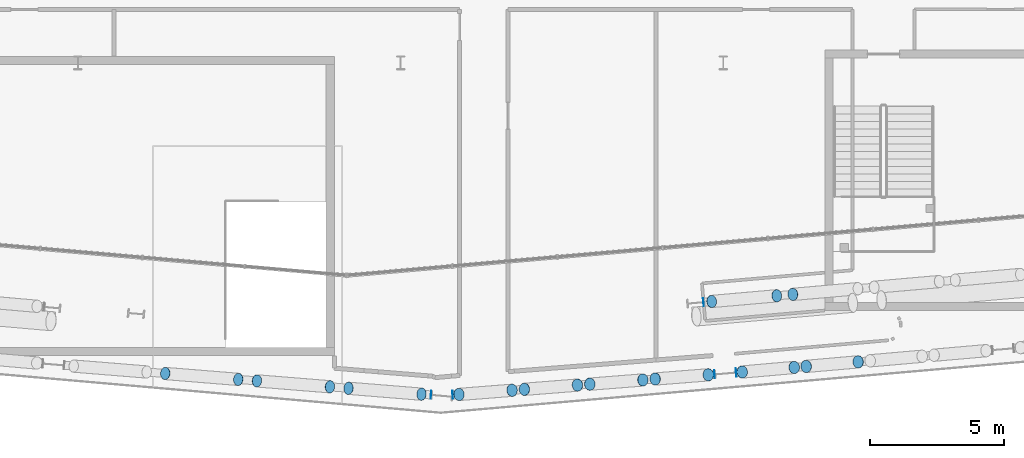
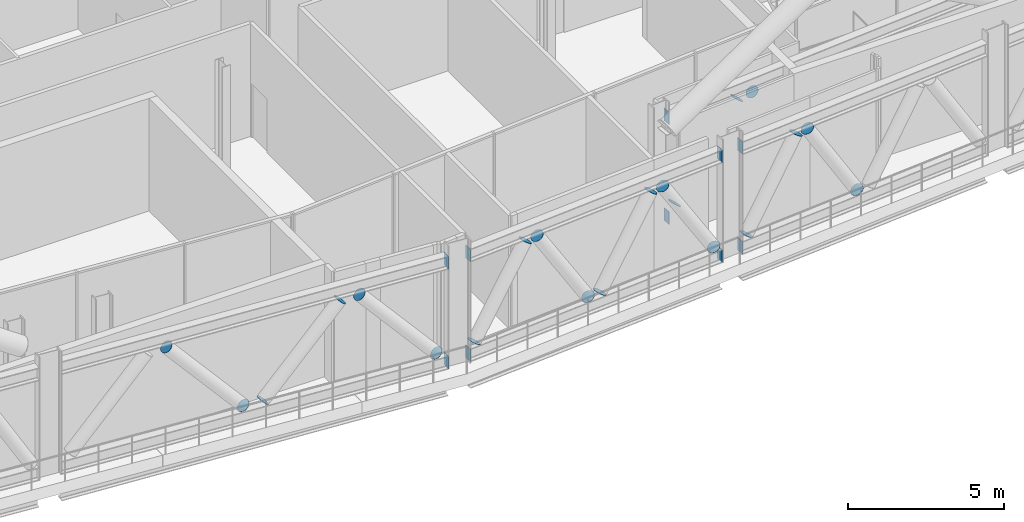
# One storey, part 29 of 42: 31 discrete accessories.
"""IFC4 building model written with IfcOpenShell, lengths in metres."""

from ifc_helpers import new_model, si_unit, direction, frame, origin, origin_2d, place, context, subcontext, project, spatial, rectangle, circle, extrude, material, material_profile, profile_set, type_object, element, save


model = new_model("IFC4")

# Units and contexts
model_context = context("Model", 3, precision=1e-05, world=origin(), true_north=direction((0.0, 1.0)))
body_context = subcontext(model_context, "Body", "Model", "MODEL_VIEW")
ifc_project = project(units=[si_unit("LENGTHUNIT", "METRE"), si_unit("AREAUNIT", "SQUARE_METRE"), si_unit("VOLUMEUNIT", "CUBIC_METRE"), si_unit("PLANEANGLEUNIT", "RADIAN"), si_unit("MASSUNIT", "GRAM", prefix="KILO")], contexts=[model_context])

# Site, building, storey
site_placement = place(None, origin())
site = spatial("IfcSite", under=ifc_project, at=site_placement, CompositionType="ELEMENT")
building_placement = place(site_placement, origin())
building = spatial("IfcBuilding", under=site, at=building_placement, Name="Wharfspan Tower", CompositionType="ELEMENT")
storey_placement = place(building_placement, frame((0.0, 0.0, 147.100098)))
storey = spatial("IfcBuildingStorey", under=building, at=storey_placement, Name="L35", CompositionType="ELEMENT", Elevation=147.100098)

# Discrete accessories
ifc_material_1 = material(Name="Steel S460NH", Category="steel")
ifc_material_profile_1 = material_profile(ifc_material_1, circle(Radius=0.228516, at=origin_2d()))
ifc_profile_set_1 = profile_set([ifc_material_profile_1], Name="Steel S460NH")
discrete_accessory_type_1 = type_object("IfcDiscreteAccessoryType", Name="End plate CHS 457x16", PredefinedType="BRACKET", material=ifc_profile_set_1)
for number, where, z_axis, x_axis, name in (
    (1, (59.565674, 2.626465, 0.632324), (0.614899, 0.049192, 0.78707), (-0.079745, 0.996811, 0.0), "End plate CHS 457x16"),
    (2, (61.988281, 2.838379, 3.759521), (0.603154, 0.048252, 0.796164), (-0.079745, 0.996819, 0.0), "End plate CHS 457x16"),
    (3, (62.58667, 2.890869, 3.767578), (0.603154, 0.048252, -0.796164), (-0.079745, 0.996819, 0.0), "End plate CHS 457x16"),
    (4, (39.246094, -0.051025, 3.756836), (0.656005, -0.048593, -0.753191), (0.073872, 0.997271, 0.0), "End plate CHS 457x16"),
    (5, (41.960205, -0.270264, 0.650635), (0.656005, -0.048593, -0.753191), (0.073872, 0.997271, 0.0), "End plate CHS 457x16"),
    (6, (42.653809, -0.326172, 0.643066), (0.656005, -0.048593, 0.753191), (0.073872, 0.997271, 0.0), "End plate CHS 457x16"),
    (7, (45.36792, -0.54541, 3.749268), (0.656005, -0.048593, 0.753191), (0.073872, 0.997271, 0.0), "End plate CHS 457x16"),
    (8, (46.061523, -0.601318, 3.756836), (0.656005, -0.048593, -0.753191), (0.073872, 0.997271, 0.0), "End plate CHS 457x16"),
    (9, (48.775635, -0.820557, 0.650635), (0.656005, -0.048593, -0.753191), (0.073872, 0.997271, 0.0), "End plate CHS 457x16"),
    (10, (50.168945, -0.831299, 0.612549), (0.53155, 0.048323, 0.845647), (-0.090535, 0.995897, -1e-06), "End plate CHS 457x16"),
    (11, (52.143555, -0.675781, 3.778809), (0.54259, 0.049326, 0.838548), (-0.090535, 0.995892, 0.0), "End plate CHS 457x16"),
    (12, (52.601318, -0.639648, 3.787109), (0.543086, 0.024686, -0.839314), (-0.045408, 0.998965, 0.0), "End plate CHS 457x16"),
    (13, (54.575928, -0.484131, 0.621094), (0.53155, 0.048323, -0.845647), (-0.090535, 0.995897, 1e-06), "End plate CHS 457x16"),
    (14, (55.033691, -0.447998, 0.612549), (0.532016, 0.024183, 0.846389), (-0.045407, 0.99897, -1e-06), "End plate CHS 457x16"),
    (15, (57.008301, -0.29248, 3.778809), (0.543086, 0.024686, 0.839314), (-0.045408, 0.998965, 0.0), "End plate CHS 457x16"),
    (16, (57.466064, -0.256592, 3.787109), (0.54259, 0.049326, -0.838548), (-0.090535, 0.995892, 0.0), "End plate CHS 457x16"),
    (17, (59.440674, -0.101074, 0.621094), (0.53155, 0.048323, -0.845647), (-0.090535, 0.995897, 1e-06), "End plate CHS 457x16"),
    (18, (60.703369, 0.003906, 0.610596), (0.53155, 0.048323, 0.845647), (-0.090535, 0.995897, -1e-06), "End plate CHS 457x16"),
    (19, (62.636963, 0.173096, 3.780518), (0.513879, 0.048941, 0.856465), (-0.094811, 0.995495, 1e-06), "End plate CHS 457x16"),
    (20, (63.082275, 0.212158, 3.789062), (0.513879, 0.048941, -0.856465), (-0.094811, 0.995495, -1e-06), "End plate CHS 457x16"),
    (21, (65.015625, 0.381348, 0.619141), (0.532016, 0.024183, -0.846389), (-0.045407, 0.99897, 1e-06), "End plate CHS 457x16"),
):
    element("IfcDiscreteAccessory", number, at=place(storey_placement, frame(where, z_axis=z_axis, x_axis=x_axis)), inside=storey, type_object=discrete_accessory_type_1, Name=name, PredefinedType="BRACKET", context=body_context, shape_type="SweptSolid", body=[
        extrude(circle(Radius=0.228516, at=origin_2d()), origin(), (0.0, 0.0, 1.0), 0.01001),
    ])
ifc_material_2 = material(Name="Steel S355J2", Category="steel")
ifc_material_profile_2 = material_profile(ifc_material_2, rectangle(XDim=0.300049, YDim=0.5, at=origin_2d()))
ifc_profile_set_2 = profile_set([ifc_material_profile_2], Name="Steel S355J2")
discrete_accessory_type_2 = type_object("IfcDiscreteAccessoryType", Name="End plate HEB 500", PredefinedType="BRACKET", material=ifc_profile_set_2)
for number, where, z_axis, x_axis, name in (
    (22, (59.259521, 2.599609, 4.149902), (0.995275, 0.0971, 0.0), (-0.0971, 0.995275, 0.0), "End plate HEB 500"),
    (23, (59.259521, 2.599609, 0.25), (0.995275, 0.0971, 0.0), (-0.0971, 0.995275, 0.0), "End plate HEB 500"),
    (24, (49.125732, -0.848877, 4.149902), (0.997334, -0.072976, 0.0), (0.072976, 0.997334, 0.0), "End plate HEB 500"),
    (25, (49.125732, -0.848877, 0.25), (0.997334, -0.072976, 0.0), (0.072976, 0.997334, 0.0), "End plate HEB 500"),
    (26, (49.932861, -0.849854, 4.149902), (0.997334, 0.072976, 0.0), (-0.072976, 0.997334, 0.0), "End plate HEB 500"),
    (27, (59.672119, -0.082764, 4.149902), (0.997334, 0.072976, 0.0), (-0.072976, 0.997334, 0.0), "End plate HEB 500"),
    (28, (49.932861, -0.849854, 0.25), (0.997334, 0.072976, 0.0), (-0.072976, 0.997334, 0.0), "End plate HEB 500"),
    (29, (59.672119, -0.082764, 0.25), (0.997334, 0.072976, 0.0), (-0.072976, 0.997334, 0.0), "End plate HEB 500"),
    (30, (60.473389, -0.016113, 4.149902), (0.997334, 0.072976, 0.0), (-0.072976, 0.997334, 0.0), "End plate HEB 500"),
    (31, (60.473389, -0.016113, 0.25), (0.997334, 0.072976, 0.0), (-0.072976, 0.997334, 0.0), "End plate HEB 500"),
):
    element("IfcDiscreteAccessory", number, at=place(storey_placement, frame(where, z_axis=z_axis, x_axis=x_axis)), inside=storey, type_object=discrete_accessory_type_2, Name=name, PredefinedType="BRACKET", context=body_context, shape_type="SweptSolid", body=[
        extrude(rectangle(XDim=0.300049, YDim=0.5, at=origin_2d()), origin(), (0.0, 0.0, 1.0), 0.01001),
    ])

save(model, "model.ifc")
